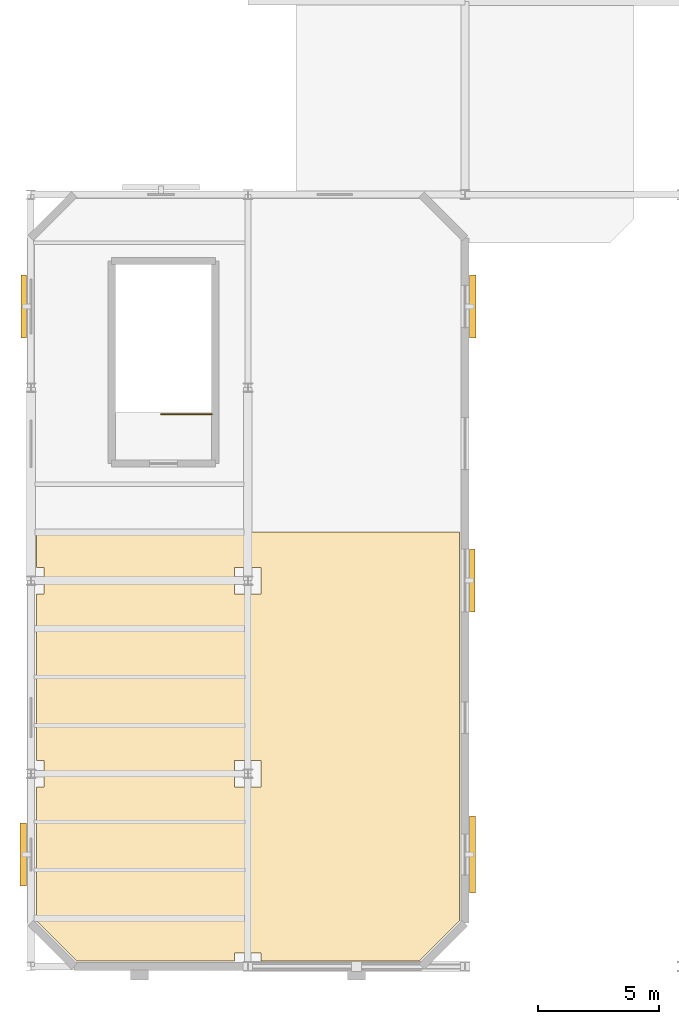
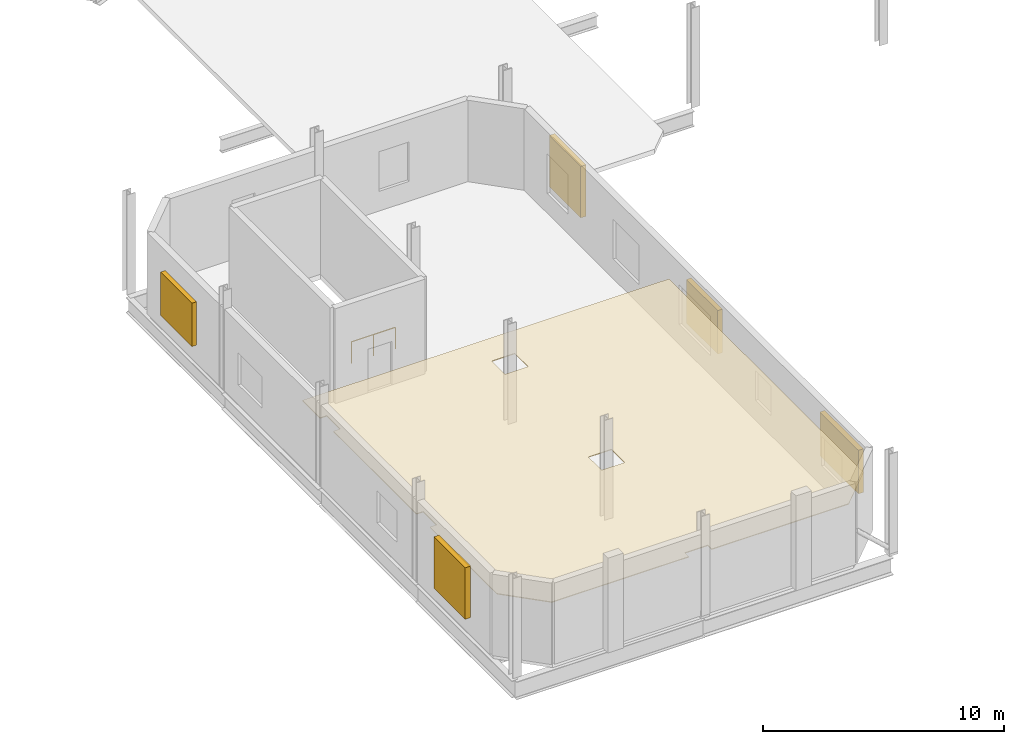
# One storey, part 110 of 122: 5 shading devices, 1 covering, 1 railing.
"""IFC4 building model written with IfcOpenShell, lengths in metres."""

from ifc_helpers import new_model, si_unit, direction, frame, frame_2d, origin, origin_2d, place, context, subcontext, project, spatial, polyline, rectangle, circle, outline, extrude, material, layer, layer_set, type_object, element, save


model = new_model("IFC4")

# Units and contexts
model_context = context("Model", 3, precision=1e-05, world=origin(), true_north=direction((0.0, 1.0)))
body_context = subcontext(model_context, "Body", "Model", "MODEL_VIEW")
ifc_project = project(units=[si_unit("LENGTHUNIT", "METRE"), si_unit("AREAUNIT", "SQUARE_METRE"), si_unit("VOLUMEUNIT", "CUBIC_METRE"), si_unit("PLANEANGLEUNIT", "RADIAN"), si_unit("MASSUNIT", "GRAM", prefix="KILO"), si_unit("THERMODYNAMICTEMPERATUREUNIT", "KELVIN"), si_unit("POWERUNIT", "WATT")], contexts=[model_context])

# Site, building, storey
site_placement = place(None, origin())
site = spatial("IfcSite", under=ifc_project, at=site_placement, CompositionType="ELEMENT")
building_placement = place(site_placement, origin())
building = spatial("IfcBuilding", under=site, at=building_placement, Name="Zelmaris Science Centre", CompositionType="ELEMENT")
storey_placement = place(building_placement, frame((0.0, 0.0, 10.800048828125)))
storey = spatial("IfcBuildingStorey", under=building, at=storey_placement, Name="L02", CompositionType="ELEMENT", Elevation=10.800048828125)

# Covering
ifc_material_1 = material(Name="Perforated mineral-fibre acoustic ceiling tile")
ifc_layer = layer(ifc_material_1, 0.0400390625, Name="Perforated mineral-fibre acoustic ceiling tile")
ifc_layer_set = layer_set([ifc_layer], Name="Perforated mineral-fibre acoustic ceiling tile")
covering_type = type_object("IfcCoveringType", Name="Acoustic Ceiling CLG-01 40mm", PredefinedType="CEILING", material=ifc_layer_set)
covering_placement = place(storey_placement, frame((0.0, 0.0, 2.849853515625)))
element("IfcCovering", 1, at=covering_placement, inside=storey, type_object=covering_type, Name="L02 Acoustics and Sound Science Studio acoustic ceiling", PredefinedType="CEILING", context=body_context, shape_type="SweptSolid", body=[
    extrude(outline(polyline([(26.751953125, 26.02001953125), (26.75390625, 26.01953125), (26.755859375, 26.01904296875), (26.7578125, 26.0185546875), (26.759521484375, 26.017578125), (26.760986328125, 26.0166015625), (26.7626953125, 26.015380859375), (26.76416015625, 26.01416015625), (26.765380859375, 26.0126953125), (26.7666015625, 26.010986328125), (26.767578125, 26.009521484375), (26.7685546875, 26.0078125), (26.76904296875, 26.005859375), (26.76953125, 26.00390625), (26.77001953125, 26.001953125), (26.77001953125, 26.0), (26.77001953125, 9.903564453125), (26.77001953125, 9.901611328125), (26.76953125, 9.899658203125), (26.76904296875, 9.897705078125), (26.7685546875, 9.89599609375), (26.767578125, 9.894287109375), (26.7666015625, 9.892578125), (26.765380859375, 9.890869140625), (26.76416015625, 9.889404296875), (25.110595703125, 8.23583984375), (25.109130859375, 8.234619140625), (25.107421875, 8.2333984375), (25.105712890625, 8.232421875), (25.10400390625, 8.2314453125), (25.102294921875, 8.23095703125), (25.100341796875, 8.23046875), (25.098388671875, 8.22998046875), (25.096435546875, 8.22998046875), (18.550048828125, 8.22998046875), (18.550048828125, 8.550048828125), (17.449951171875, 8.550048828125), (17.449951171875, 8.22998046875), (10.903564453125, 8.22998046875), (10.901611328125, 8.22998046875), (10.899658203125, 8.23046875), (10.897705078125, 8.23095703125), (10.89599609375, 8.2314453125), (10.894287109375, 8.232421875), (10.892578125, 8.2333984375), (10.890869140625, 8.234619140625), (10.889404296875, 8.23583984375), (9.23583984375, 9.889404296875), (9.234619140625, 9.890869140625), (9.2333984375, 9.892578125), (9.232421875, 9.894287109375), (9.2314453125, 9.89599609375), (9.23095703125, 9.897705078125), (9.23046875, 9.899658203125), (9.22998046875, 9.901611328125), (9.22998046875, 9.903564453125), (9.22998046875, 15.449951171875), (9.550048828125, 15.449951171875), (9.550048828125, 16.550048828125), (9.22998046875, 16.550048828125), (9.22998046875, 23.449951171875), (9.550048828125, 23.449951171875), (9.550048828125, 24.550048828125), (9.22998046875, 24.550048828125), (9.22998046875, 26.0), (9.22998046875, 26.001953125), (9.23046875, 26.00390625), (9.23095703125, 26.005859375), (9.2314453125, 26.0078125), (9.232421875, 26.009521484375), (9.2333984375, 26.010986328125), (9.234619140625, 26.0126953125), (9.23583984375, 26.01416015625), (9.2373046875, 26.015380859375), (9.239013671875, 26.0166015625), (9.240478515625, 26.017578125), (9.2421875, 26.0185546875), (9.244140625, 26.01904296875), (9.24609375, 26.01953125), (9.248046875, 26.02001953125), (9.25, 26.02001953125), (26.75, 26.02001953125), (26.751953125, 26.02001953125)]), holes=[polyline([(18.550048828125, 16.550048828125), (17.449951171875, 16.550048828125), (17.449951171875, 15.449951171875), (18.550048828125, 15.449951171875), (18.550048828125, 16.550048828125)]), polyline([(17.449951171875, 24.550048828125), (17.449951171875, 23.449951171875), (18.550048828125, 23.449951171875), (18.550048828125, 24.550048828125), (17.449951171875, 24.550048828125)])]), origin(), (0.0, 0.0, 1.0), 0.0400390625),
])

# Railing
ifc_material_2 = material(Name="Architectural bronze alloy C28000")
railing_type = type_object("IfcRailingType", Name="Balustrade GD-01 H1120", PredefinedType="BALUSTRADE", material=ifc_material_2)
railing_placement = place(storey_placement, frame((16.5, 30.89990234375, 0.0)))
element("IfcRailing", 2, at=railing_placement, inside=storey, type_object=railing_type, Name="L02 ST-6 top well guard 1", PredefinedType="BALUSTRADE", context=body_context, shape_type="SweptSolid", body=[
    extrude(circle(Radius=0.02392578125, at=origin_2d()), frame((0.0, 0.0, 1.076171875), z_axis=(-1.0, 0.0, 0.0), x_axis=(0.0, -1.0, 0.0)), (0.0, 0.0, 1.0), 2.10009765625),
    extrude(circle(Radius=0.02099609375, at=origin_2d()), origin(), (0.0, 0.0, 1.0), 1.052001953125),
    extrude(circle(Radius=0.02099609375, at=origin_2d()), frame((-1.050048828125, 0.0, 0.0)), (0.0, 0.0, 1.0), 1.052001953125),
    extrude(circle(Radius=0.02099609375, at=origin_2d()), frame((-2.10009765625, 0.0, 0.0)), (0.0, 0.0, 1.0), 1.052001953125),
])

# Shading devices
shading_device_type_1 = type_object("IfcShadingDeviceType", Name="Bronze Storm Louvre LV-01 2600x2200", PredefinedType="JALOUSIE", material=ifc_material_2)
for number, where, z_axis, x_axis, name in (
    (3, (8.7001953125, 34.059814453125, 0.949951171875), (0.0, 0.0, 1.0), (0.0, 1.0, 0.0), "L02 Bronze storm louvre 31"),
    (4, (27.2998046875, 25.300048828125, 0.949951171875), (0.0, 0.0, 1.0), (0.0, -1.0, 0.0), "L02 Bronze storm louvre 34"),
):
    element("IfcShadingDevice", number, at=place(storey_placement, frame(where, z_axis=z_axis, x_axis=x_axis)), inside=storey, type_object=shading_device_type_1, Name=name, PredefinedType="JALOUSIE", context=body_context, shape_type="SweptSolid", body=[
        extrude(rectangle(XDim=2.60009765625, YDim=0.219970703125, at=frame_2d((1.300048828125, 0.0))), origin(), (0.0, 0.0, 1.0), 2.199951171875),
    ])
shading_device_type_2 = type_object("IfcShadingDeviceType", Name="Bronze Storm Louvre LV-02 3200x2200", PredefinedType="JALOUSIE", material=ifc_material_2)
shading_device_placement = place(storey_placement, frame((27.309814453125, 14.239990234375, 0.949951171875), z_axis=(0.0, 0.0, 1.0), x_axis=(0.0, -1.0, 0.0)))
element("IfcShadingDevice", 5, at=shading_device_placement, inside=storey, type_object=shading_device_type_2, Name="L02 Bronze storm louvre 35", PredefinedType="JALOUSIE", context=body_context, shape_type="SweptSolid", body=[
    extrude(rectangle(XDim=3.199951171875, YDim=0.239990234375, at=frame_2d((1.60009765625, 0.0))), origin(), (0.0, 0.0, 1.0), 2.199951171875),
])
shading_device_type_3 = type_object("IfcShadingDeviceType", Name="Bronze Storm Louvre LV-03 2600x2600", PredefinedType="JALOUSIE", material=ifc_material_2)
for number, where, z_axis, x_axis, name in (
    (6, (8.68017578125, 11.340087890625, 0.949951171875), (0.0, 0.0, 1.0), (0.0, 1.0, 0.0), "L02 Bronze storm louvre 30"),
    (7, (27.31982421875, 36.659912109375, 0.949951171875), (0.0, 0.0, 1.0), (0.0, -1.0, 0.0), "L02 Bronze storm louvre 33"),
):
    element("IfcShadingDevice", number, at=place(storey_placement, frame(where, z_axis=z_axis, x_axis=x_axis)), inside=storey, type_object=shading_device_type_3, Name=name, PredefinedType="JALOUSIE", context=body_context, shape_type="SweptSolid", body=[
        extrude(rectangle(XDim=2.599853515625, YDim=0.260009765625, at=frame_2d((1.2998046875, 0.0))), origin(), (0.0, 0.0, 1.0), 2.60009765625),
    ])

save(model, "model.ifc")
